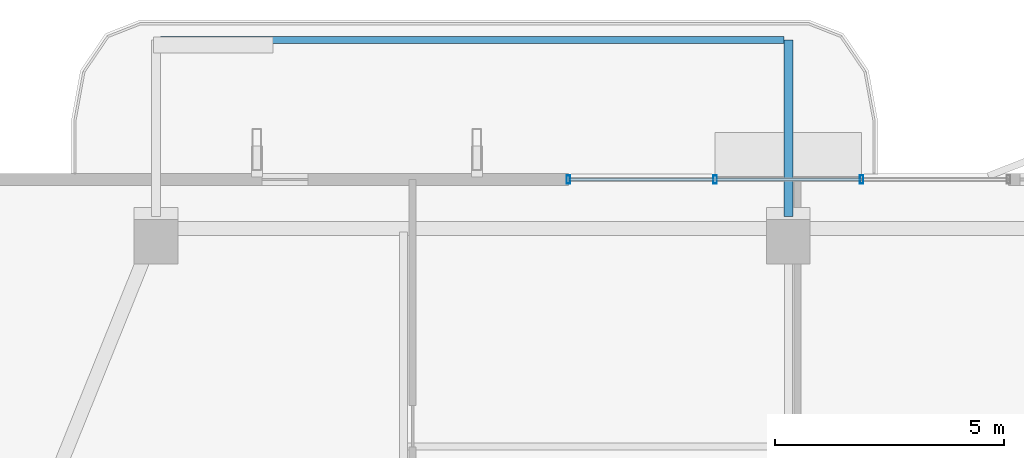
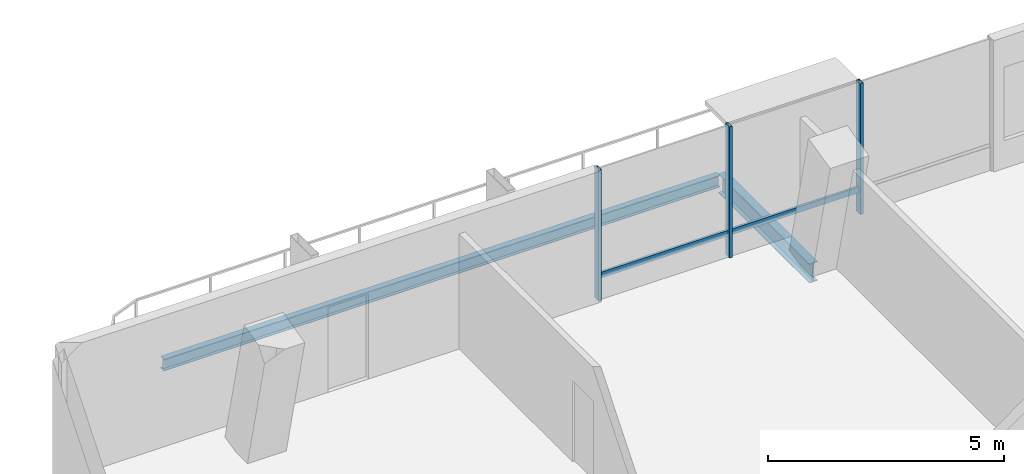
# One storey, part 13 of 25: 5 members, 2 beams, 1 element without a shape of its own.
"""IFC4 building model written with IfcOpenShell, lengths in metres."""

from ifc_helpers import new_model, si_unit, direction, frame, origin, origin_2d, place, context, subcontext, project, spatial, hollow_rectangle, i_section, extrude, material, layer, layer_set, material_profile, profile_set, type_object, element, aggregate, save


model = new_model("IFC4")

# Units and contexts
model_context = context("Model", 3, precision=1e-05, world=origin(), true_north=direction((0.0, 1.0)))
body_context = subcontext(model_context, "Body", "Model", "MODEL_VIEW")
ifc_project = project(units=[si_unit("LENGTHUNIT", "METRE"), si_unit("AREAUNIT", "SQUARE_METRE"), si_unit("VOLUMEUNIT", "CUBIC_METRE"), si_unit("PLANEANGLEUNIT", "RADIAN"), si_unit("MASSUNIT", "GRAM", prefix="KILO")], contexts=[model_context])

# Site, building, storey
site_placement = place(None, origin())
site = spatial("IfcSite", under=ifc_project, at=site_placement, CompositionType="ELEMENT")
building_placement = place(site_placement, origin())
building = spatial("IfcBuilding", under=site, at=building_placement, Name="Belovzor Exchange Tower", CompositionType="ELEMENT")
storey_placement = place(building_placement, frame((0.0, 0.0, 280.35009765625)))
storey = spatial("IfcBuildingStorey", under=building, at=storey_placement, Name="L70", CompositionType="ELEMENT", Elevation=280.35009765625)

# Beams
ifc_material_1 = material(Name="Steel S355", Category="steel")
ifc_material_profile_1 = material_profile(ifc_material_1, i_section(OverallWidth=0.199951171875, OverallDepth=0.5, WebThickness=0.01025390625, FlangeThickness=0.01611328125, at=origin_2d()))
ifc_profile_set_1 = profile_set([ifc_material_profile_1], Name="Steel S355")
beam_type_1 = type_object("IfcBeamType", Name="Planted Balcony Cantilever Beam IPE 500", PredefinedType="BEAM", material=ifc_profile_set_1)
beam_1_placement = place(storey_placement, frame((28.800048828125, 52.760986328125, -0.5), z_axis=(0.0, 1.0, 0.0), x_axis=(-1.0, 0.0, 0.0)))
element("IfcBeam", 1, at=beam_1_placement, inside=storey, type_object=beam_type_1, Name="BC-500 Planted Balcony Cantilever Beam IPE 500", PredefinedType="BEAM", context=body_context, shape_type="SweptSolid", body=[
    extrude(i_section(OverallWidth=0.199951171875, OverallDepth=0.5, WebThickness=0.01025390625, FlangeThickness=0.01611328125, at=origin_2d()), origin(), (0.0, 0.0, 1.0), 3.85009765625),
])
ifc_material_2 = material(Name="Steel S355", Category="steel")
ifc_material_profile_2 = material_profile(ifc_material_2, i_section(OverallWidth=0.14990234375, OverallDepth=0.300048828125, WebThickness=0.007080078125, FlangeThickness=0.0107421875, at=origin_2d()))
ifc_profile_set_2 = profile_set([ifc_material_profile_2], Name="Steel S355")
beam_type_2 = type_object("IfcBeamType", Name="Planted Balcony Fascia Edge Beam IPE 300", PredefinedType="BEAM", material=ifc_profile_set_2)
beam_2_placement = place(storey_placement, frame((28.699951171875, 56.611083984375, -0.400146484375), z_axis=(-1.0, 0.0, 0.0), x_axis=(0.0, -1.0, 0.0)))
element("IfcBeam", 2, at=beam_2_placement, inside=storey, type_object=beam_type_2, Name="BC-300 Planted Balcony Fascia Edge Beam IPE 300", PredefinedType="BEAM", context=body_context, shape_type="SweptSolid", body=[
    extrude(i_section(OverallWidth=0.14990234375, OverallDepth=0.300048828125, WebThickness=0.007080078125, FlangeThickness=0.0107421875, at=origin_2d()), origin(), (0.0, 0.0, 1.0), 13.599853515625),
])

# Curtain wall, members
ifc_material_3 = material(Name="Anodised Aluminium Framing", Category="aluminium")
ifc_layer = layer(ifc_material_3, 0.179931640625)
ifc_layer_set = layer_set([ifc_layer], Name="Anodised Aluminium Framing")
curtain_wall_type = type_object("IfcCurtainWallType", Name="Recessed Loggia Low-Iron Triple-Glazed Curtain Wall", PredefinedType="NOTDEFINED", material=ifc_layer_set)
curtain_wall_placement = place(storey_placement, origin())
curtain_wall = element("IfcCurtainWall", 3, at=curtain_wall_placement, inside=storey, type_object=curtain_wall_type, Name="CW3 Recessed Loggia Low-Iron Triple-Glazed Curtain Wall L70", PredefinedType="NOTDEFINED")
ifc_material_4 = material(Name="Steel S355", Category="steel")
ifc_material_profile_3 = material_profile(ifc_material_4, hollow_rectangle(XDim=0.074951171875, YDim=0.179931640625, WallThickness=0.0048828125, at=origin_2d()))
ifc_profile_set_3 = profile_set([ifc_material_profile_3], Name="Steel S355")
member_type_1 = type_object("IfcMemberType", Name="Thermally Broken Curtain Wall Mullion 180x75", PredefinedType="MULLION", material=ifc_profile_set_3)
member_1_placement = place(storey_placement, frame((24.0, 53.570068359375, 0.0), z_axis=(0.0, 0.0, 1.0), x_axis=(1.0, 0.0, 0.0)))
member_1 = element("IfcMember", 4, at=member_1_placement, type_object=member_type_1, Name="CW-M180 Curtain Wall Mullion 1", PredefinedType="MULLION", context=body_context, shape_type="SweptSolid", body=[
    extrude(hollow_rectangle(XDim=0.074951171875, YDim=0.179931640625, WallThickness=0.0048828125, at=origin_2d()), origin(), (0.0, 0.0, 1.0), 3.389892578125),
])
member_2_placement = place(storey_placement, frame((27.199951171875, 53.570068359375, 0.0), z_axis=(0.0, 0.0, 1.0), x_axis=(1.0, 0.0, 0.0)))
member_2 = element("IfcMember", 5, at=member_2_placement, type_object=member_type_1, Name="CW-M180 Curtain Wall Mullion 2", PredefinedType="MULLION", context=body_context, shape_type="SweptSolid", body=[
    extrude(hollow_rectangle(XDim=0.074951171875, YDim=0.179931640625, WallThickness=0.0048828125, at=origin_2d()), origin(), (0.0, 0.0, 1.0), 3.389892578125),
])
member_3_placement = place(storey_placement, frame((30.39990234375, 53.570068359375, 0.0), z_axis=(0.0, 0.0, 1.0), x_axis=(1.0, 0.0, 0.0)))
member_3 = element("IfcMember", 6, at=member_3_placement, type_object=member_type_1, Name="CW-M180 Curtain Wall Mullion 3", PredefinedType="MULLION", context=body_context, shape_type="SweptSolid", body=[
    extrude(hollow_rectangle(XDim=0.074951171875, YDim=0.179931640625, WallThickness=0.0048828125, at=origin_2d()), origin(), (0.0, 0.0, 1.0), 3.389892578125),
])
ifc_material_5 = material(Name="Steel S355", Category="steel")
ifc_material_profile_4 = material_profile(ifc_material_5, hollow_rectangle(XDim=0.06005859375, YDim=0.14990234375, WallThickness=0.00390625, at=origin_2d()))
ifc_profile_set_4 = profile_set([ifc_material_profile_4], Name="Steel S355")
member_type_2 = type_object("IfcMemberType", Name="Thermally Broken Curtain Wall Transom 150x60", PredefinedType="USERDEFINED", material=ifc_profile_set_4)
member_4_placement = place(storey_placement, frame((24.008056640625, 53.570068359375, 0.60986328125), z_axis=(1.0, 0.0, 0.0), x_axis=(0.0, 1.0, 0.0)))
member_4 = element("IfcMember", 7, at=member_4_placement, type_object=member_type_2, Name="CW-T150 Curtain Wall Transom 1", ObjectType="TRANSOM", PredefinedType="USERDEFINED", context=body_context, shape_type="SweptSolid", body=[
    extrude(hollow_rectangle(XDim=0.06005859375, YDim=0.14990234375, WallThickness=0.00390625, at=origin_2d()), origin(), (0.0, 0.0, 1.0), 3.183837890625),
])
member_5_placement = place(storey_placement, frame((27.2080078125, 53.570068359375, 0.60986328125), z_axis=(1.0, 0.0, 0.0), x_axis=(0.0, 1.0, 0.0)))
member_5 = element("IfcMember", 8, at=member_5_placement, type_object=member_type_2, Name="CW-T150 Curtain Wall Transom 2", ObjectType="TRANSOM", PredefinedType="USERDEFINED", context=body_context, shape_type="SweptSolid", body=[
    extrude(hollow_rectangle(XDim=0.06005859375, YDim=0.14990234375, WallThickness=0.00390625, at=origin_2d()), origin(), (0.0, 0.0, 1.0), 3.18408203125),
])
aggregate(curtain_wall, [member_1, member_2, member_3, member_4, member_5])

save(model, "model.ifc")
